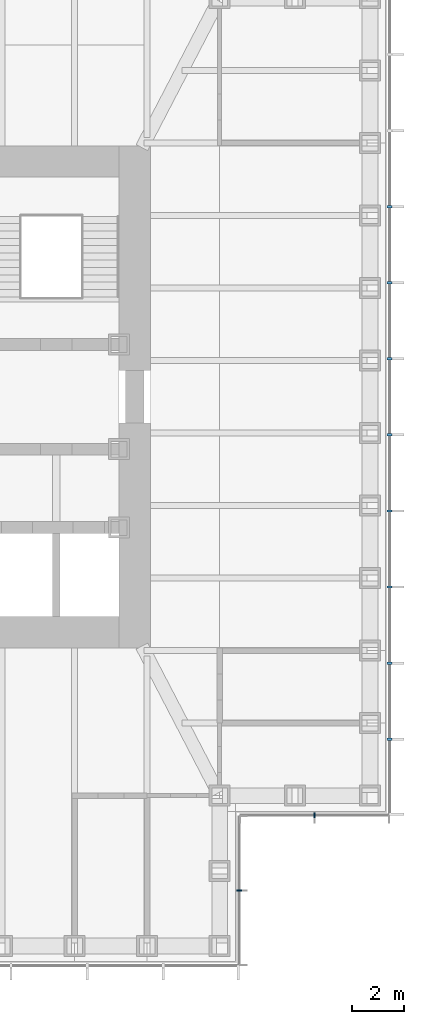
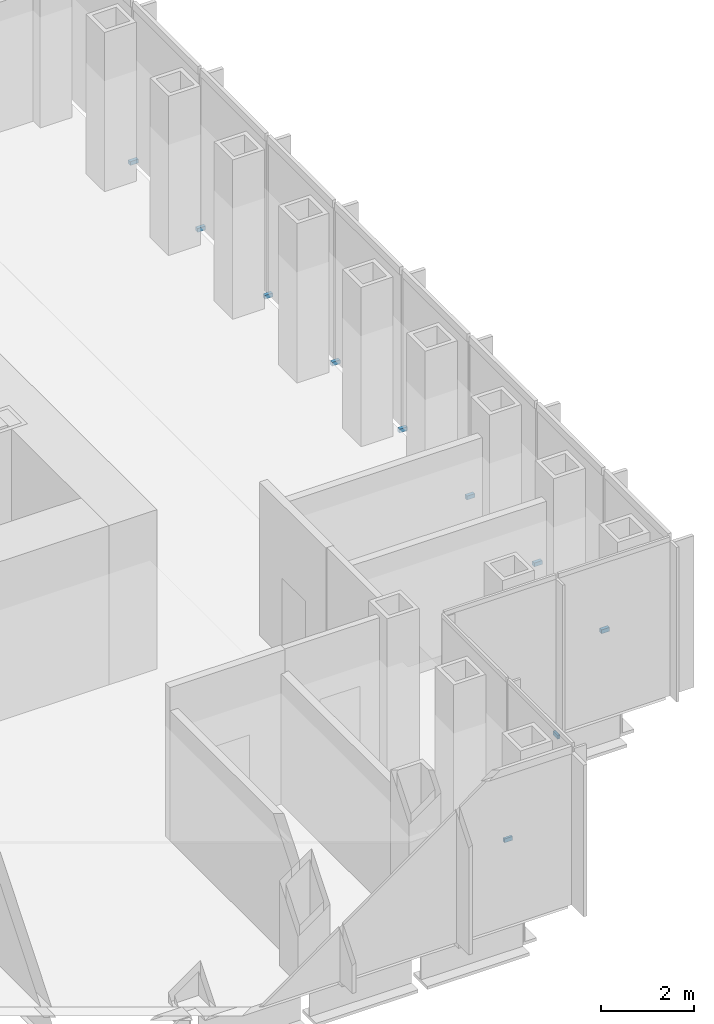
# One storey, part 13 of 16: 10 discrete accessories.
"""IFC4 building model written with IfcOpenShell, lengths in metres."""

from ifc_helpers import new_model, si_unit, direction, frame, origin, origin_2d, place, context, subcontext, project, spatial, rectangle, extrude, element, save


model = new_model("IFC4")

# Units and contexts
model_context = context("Model", 3, precision=1e-05, world=origin(), true_north=direction((0.0, 1.0)))
body_context = subcontext(model_context, "Body", "Model", "MODEL_VIEW")
ifc_project = project(units=[si_unit("LENGTHUNIT", "METRE"), si_unit("AREAUNIT", "SQUARE_METRE"), si_unit("VOLUMEUNIT", "CUBIC_METRE"), si_unit("PLANEANGLEUNIT", "RADIAN"), si_unit("MASSUNIT", "GRAM", prefix="KILO")], contexts=[model_context])

# Site, building, storey
site_placement = place(None, origin())
site = spatial("IfcSite", under=ifc_project, at=site_placement, CompositionType="ELEMENT")
building_placement = place(site_placement, origin())
building = spatial("IfcBuilding", under=site, at=building_placement, Name="Daluyong Arena Tower", CompositionType="ELEMENT")
storey_placement = place(building_placement, frame((0.0, 0.0, 258.699951171875)))
storey = spatial("IfcBuildingStorey", under=building, at=storey_placement, Name="L58", CompositionType="ELEMENT", Elevation=258.699951171875)

# Discrete accessories
for number, where, z_axis, x_axis, name in (
    (1, (72.0, 61.125, -0.10009765625), (0.0, 0.0, 1.0), (0.0, 1.0, 0.0), "curtain wall L58 SE-E anchor bracket 2"),
    (2, (74.875, 64.0, -0.10009765625), (0.0, 0.0, 1.0), (1.0, 0.0, 0.0), "curtain wall L58 SE-S anchor bracket 2"),
):
    element("IfcDiscreteAccessory", number, at=place(storey_placement, frame(where, z_axis=z_axis, x_axis=x_axis)), inside=storey, Name=name, PredefinedType="BRACKET", context=body_context, shape_type="SweptSolid", body=[
        extrude(rectangle(XDim=0.06005859375, YDim=0.199951171875, at=origin_2d()), origin(), (0.0, 0.0, 1.0), 0.10009765625),
    ])
for number, where, z_axis, x_axis, name in (
    (3, (77.75, 66.9091796875, -0.10009765625), (0.0, 0.0, 1.0), (0.0, 1.0, 0.0), "curtain wall L58 E anchor bracket 2"),
    (4, (77.75, 69.818115234375, -0.10009765625), (0.0, 0.0, 1.0), (0.0, 1.0, 0.0), "curtain wall L58 E anchor bracket 3"),
    (5, (77.75, 72.727294921875, -0.10009765625), (0.0, 0.0, 1.0), (0.0, 1.0, 0.0), "curtain wall L58 E anchor bracket 4"),
    (6, (77.75, 75.636474609375, -0.10009765625), (0.0, 0.0, 1.0), (0.0, 1.0, 0.0), "curtain wall L58 E anchor bracket 5"),
    (7, (77.75, 78.54541015625, -0.10009765625), (0.0, 0.0, 1.0), (0.0, 1.0, 0.0), "curtain wall L58 E anchor bracket 6"),
    (8, (77.75, 81.45458984375, -0.10009765625), (0.0, 0.0, 1.0), (0.0, 1.0, 0.0), "curtain wall L58 E anchor bracket 7"),
    (9, (77.75, 84.363525390625, -0.10009765625), (0.0, 0.0, 1.0), (0.0, 1.0, 0.0), "curtain wall L58 E anchor bracket 8"),
    (10, (77.75, 87.272705078125, -0.10009765625), (0.0, 0.0, 1.0), (0.0, 1.0, 0.0), "curtain wall L58 E anchor bracket 9"),
):
    element("IfcDiscreteAccessory", number, at=place(storey_placement, frame(where, z_axis=z_axis, x_axis=x_axis)), inside=storey, Name=name, PredefinedType="BRACKET", context=body_context, shape_type="SweptSolid", body=[
        extrude(rectangle(XDim=0.090087890625, YDim=0.199951171875, at=origin_2d()), origin(), (0.0, 0.0, 1.0), 0.10009765625),
    ])

save(model, "model.ifc")
